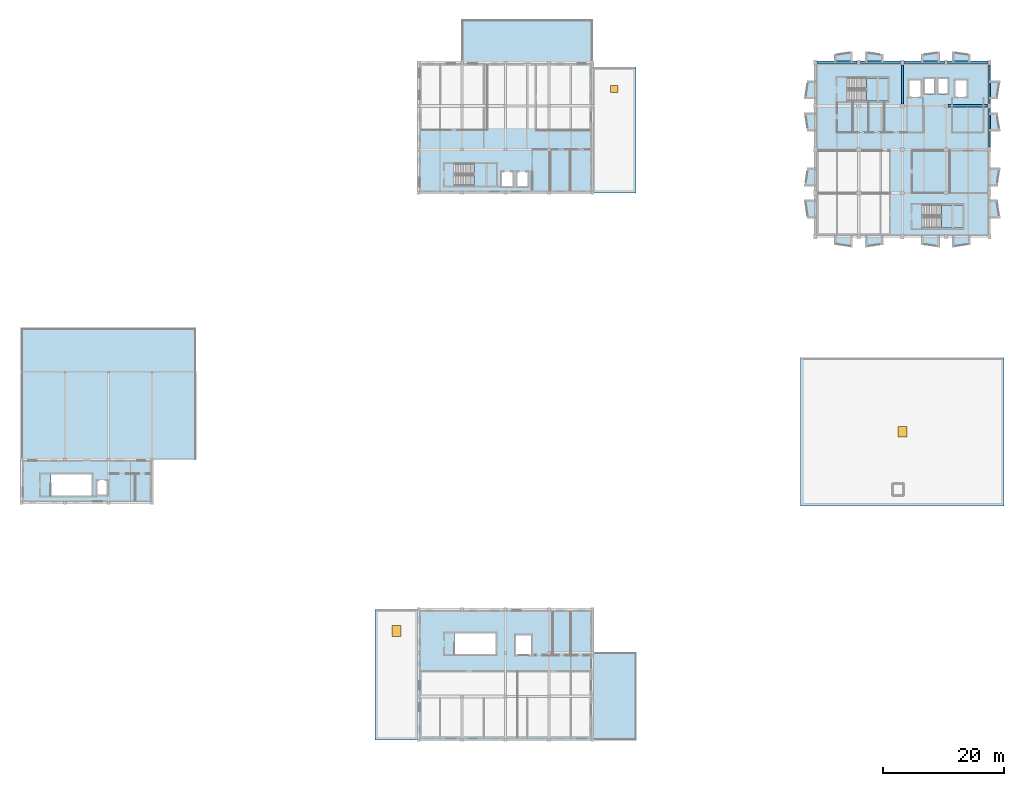
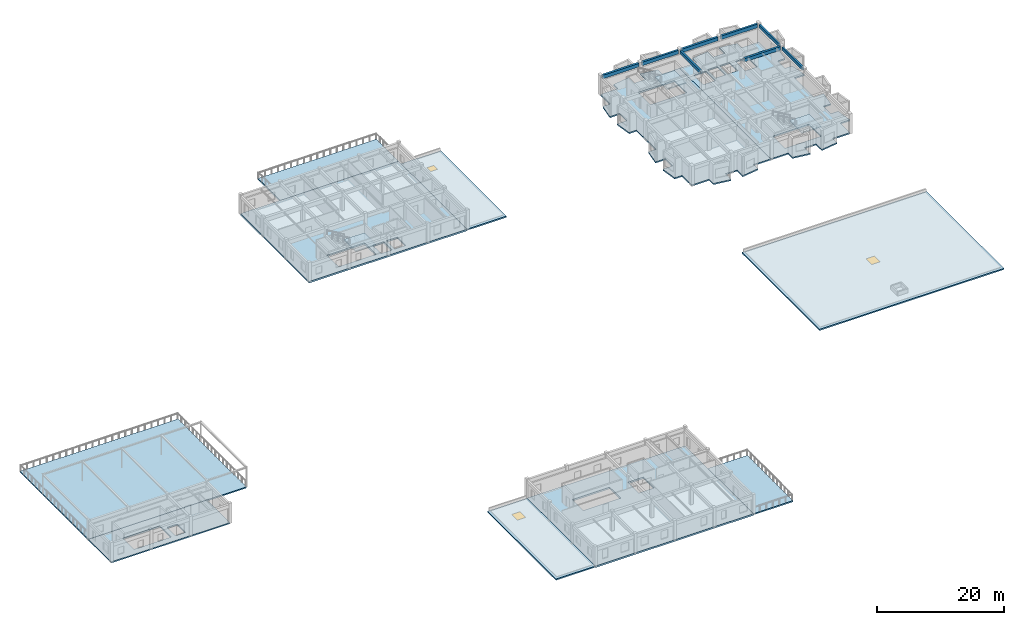
# One storey, part 6 of 20: 14 slabs, 8 beams, 3 windows, 3 openings, 3 elements without a shape of their own.
"""IFC4 building model written with IfcOpenShell, lengths in metres."""

import ifcopenshell
import ifcopenshell.guid

model = None  # the IFC model being written
_history = None  # IfcOwnerHistory: only IFC2X3 demands one
_inside = {}  # id of a spatial element -> (the spatial element, [elements in it])
_under = {}  # id of a project, library or spatial element -> (it, [spatial elements below it])
_declared = {}  # id of a project -> (the project, [libraries it declares])
_typed = {}  # id of a type object -> (the type object, [elements of that type])
_made_of = {}  # id of a material, layer set ... -> (it, [elements and type objects made of it])


def new_model(schema):
    """Start an empty IFC model of exactly this schema.

    Asked for "IFC4X3", IfcOpenShell would pick the latest addendum, in which some entities
    have other attributes; the version numbers below select the first issue.
    IFC2X3 requires an IfcOwnerHistory on every rooted entity: one is made here for all.
    """
    global model, _history
    if schema == "IFC4X3":
        model = ifcopenshell.file(schema_version=(4, 3, 0, 0))
    else:
        model = ifcopenshell.file(schema=schema)
    _inside.clear()
    _under.clear()
    _declared.clear()
    _typed.clear()
    _made_of.clear()
    _history = None
    if model.schema == "IFC2X3":
        org = make("IfcOrganization", Name="unknown")
        user = make(
            "IfcPersonAndOrganization",
            ThePerson=make("IfcPerson", FamilyName="unknown"),
            TheOrganization=org,
        )
        app = make(
            "IfcApplication",
            ApplicationDeveloper=org,
            Version="unknown",
            ApplicationFullName="unknown",
            ApplicationIdentifier="unknown",
        )
        _history = make(
            "IfcOwnerHistory",
            OwningUser=user,
            OwningApplication=app,
            ChangeAction="ADDED",
            CreationDate=0,
        )
    return model


def make(cls, **values):
    """One entity of the class cls with the attributes given. An attribute that is None is left unset."""
    return model.create_entity(
        cls, **{name: value for name, value in values.items() if value is not None}
    )


def rooted(cls, **values):
    """An entity with a GlobalId (a new one), such as an element, a storey or a relation."""
    return make(cls, GlobalId=ifcopenshell.guid.new(), OwnerHistory=_history, **values)


def si_unit(unit_type, name, prefix=None):
    """IfcSIUnit, for example si_unit("LENGTHUNIT", "METRE", prefix="MILLI")."""
    return make("IfcSIUnit", UnitType=unit_type, Prefix=prefix, Name=name)


def assignment(units):
    """IfcUnitAssignment: the units of a project."""
    return None if units is None else make("IfcUnitAssignment", Units=units)


def point(xyz):
    """IfcCartesianPoint."""
    return None if xyz is None else make("IfcCartesianPoint", Coordinates=xyz)


def direction(xyz):
    """IfcDirection."""
    return None if xyz is None else make("IfcDirection", DirectionRatios=xyz)


def frame(location, z_axis=None, x_axis=None):
    """IfcAxis2Placement3D, a coordinate frame: its origin and axes. An axis left out is left unset."""
    return make(
        "IfcAxis2Placement3D",
        Location=point(location),
        Axis=direction(z_axis),
        RefDirection=direction(x_axis),
    )


def frame_2d(location, x_axis=None):
    """IfcAxis2Placement2D, a coordinate frame in the plane: its origin and x axis."""
    return make(
        "IfcAxis2Placement2D", Location=point(location), RefDirection=direction(x_axis)
    )


def origin():
    """The frame at (0, 0, 0) with its axes left unset."""
    return frame((0.0, 0.0, 0.0))


def origin_2d():
    """The frame at (0, 0) in the plane with its x axis left unset."""
    return frame_2d((0.0, 0.0))


def place(relative_to, where):
    """IfcLocalPlacement: puts the frame where relative to a parent placement (None: the world)."""
    return make(
        "IfcLocalPlacement", PlacementRelTo=relative_to, RelativePlacement=where
    )


def context(
    kind, dimensions, precision=None, world=None, true_north=None, identifier=None
):
    """IfcGeometricRepresentationContext, for example the 3D "Model" context."""
    return make(
        "IfcGeometricRepresentationContext",
        ContextIdentifier=identifier,
        ContextType=kind,
        CoordinateSpaceDimension=dimensions,
        Precision=precision,
        WorldCoordinateSystem=world,
        TrueNorth=true_north,
    )


def subcontext(parent, identifier, kind, view, scale=None):
    """IfcGeometricRepresentationSubContext, for example "Body" below "Model"."""
    return make(
        "IfcGeometricRepresentationSubContext",
        ContextIdentifier=identifier,
        ContextType=kind,
        ParentContext=parent,
        TargetScale=scale,
        TargetView=view,
    )


def project(units=None, contexts=None):
    """IfcProject with its units and contexts."""
    return rooted(
        "IfcProject",
        Name="project",
        RepresentationContexts=contexts,
        UnitsInContext=assignment(units),
    )


def spatial(cls, under=None, at=None, **own):
    """A site, building, storey or space (cls), placed at a placement, below another one or the project."""
    s = rooted(cls, ObjectPlacement=at, **own)
    if under is not None:
        _under.setdefault(under.id(), (under, []))[1].append(s)
    return s


def polyline(points):
    """IfcPolyline through the points."""
    return make("IfcPolyline", Points=[point(p) for p in points])


def profile(cls, at=None, kind="AREA", **sizes):
    """A parametric profile (cls). Its sizes go by their IFC names, for example OverallWidth=200.0."""
    return make(cls, ProfileType=kind, Position=at, **sizes)


def rectangle(**sizes):
    """IfcRectangleProfileDef."""
    return profile("IfcRectangleProfileDef", **sizes)


def outline(outer, holes=None, kind="AREA"):
    """IfcArbitraryClosedProfileDef: a profile drawn as a closed curve; with holes, ...WithVoids."""
    if holes is None:
        return make("IfcArbitraryClosedProfileDef", ProfileType=kind, OuterCurve=outer)
    return make(
        "IfcArbitraryProfileDefWithVoids",
        ProfileType=kind,
        OuterCurve=outer,
        InnerCurves=holes,
    )


def extrude(swept, where, along, depth):
    """IfcExtrudedAreaSolid: the profile swept, set in the frame where, extruded along a direction by depth."""
    return make(
        "IfcExtrudedAreaSolid",
        SweptArea=swept,
        Position=where,
        ExtrudedDirection=direction(along),
        Depth=depth,
    )


def shape(context_of_items, identifier, shape_type, items):
    """IfcShapeRepresentation: the items that make up one representation, for example the "Body"."""
    return make(
        "IfcShapeRepresentation",
        ContextOfItems=context_of_items,
        RepresentationIdentifier=identifier,
        RepresentationType=shape_type,
        Items=items,
    )


def material(Name=None, Category=None):
    """IfcMaterial."""
    return make("IfcMaterial", Name=Name, Category=Category)


def layer(
    of_material, thickness, ventilated=None, Name=None, Category=None, Priority=None
):
    """IfcMaterialLayer: one layer of a wall or slab, of a material (None: an air gap)."""
    return make(
        "IfcMaterialLayer",
        Material=of_material,
        LayerThickness=thickness,
        IsVentilated=ventilated,
        Name=Name,
        Category=Category,
        Priority=Priority,
    )


def layer_set(layers, Name=None):
    """IfcMaterialLayerSet."""
    return make("IfcMaterialLayerSet", MaterialLayers=layers, LayerSetName=Name)


def material_profile(
    of_material, cross_section, Name=None, Category=None, Priority=None
):
    """IfcMaterialProfile: a cross section and its material."""
    return make(
        "IfcMaterialProfile",
        Name=Name,
        Material=of_material,
        Profile=cross_section,
        Priority=Priority,
        Category=Category,
    )


def profile_set(profiles, Name=None, composite=None):
    """IfcMaterialProfileSet."""
    return make(
        "IfcMaterialProfileSet",
        Name=Name,
        MaterialProfiles=profiles,
        CompositeProfile=composite,
    )


def made_of(thing, what):
    """Note that an element or type object is made of a material, layer set ...; save() writes the relation."""
    if what is not None:
        _made_of.setdefault(what.id(), (what, []))[1].append(thing)
    return thing


def type_object(cls, material=None, **own):
    """A type object (cls), such as IfcWallType, which elements share."""
    return made_of(rooted(cls, **own), material)


def element(
    cls,
    number,
    at=None,
    inside=None,
    cuts=None,
    type_object=None,
    material=None,
    context=None,
    identifier="Body",
    shape_type=None,
    held_by="IfcProductDefinitionShape",
    body=None,
    shapes=None,
    **own,
):
    """One element of the class cls, such as IfcWall. Its Tag is "e" and its number.

    at: its placement. inside: the storey or other place that contains it. cuts: it is an
    opening in that element (IfcRelVoidsElement). A single representation is given by context,
    identifier, shape_type and body (its items); several are given by shapes. held_by: the class
    of the entity that holds the representations. save() writes the other relations.
    """
    e = rooted(cls, Tag="e%d" % number, ObjectPlacement=at, **own)
    if body is not None:
        shapes = [shape(context, identifier, shape_type, body)]
    if shapes is not None:
        e.Representation = make(held_by, Representations=shapes)
    if inside is not None:
        _inside.setdefault(inside.id(), (inside, []))[1].append(e)
    if cuts is not None:
        rooted(
            "IfcRelVoidsElement", RelatingBuildingElement=cuts, RelatedOpeningElement=e
        )
    if type_object is not None:
        _typed.setdefault(type_object.id(), (type_object, []))[1].append(e)
    return made_of(e, material)


def fill(opening, filler):
    """IfcRelFillsElement: the door or window that sits in an opening."""
    return rooted(
        "IfcRelFillsElement",
        RelatingOpeningElement=opening,
        RelatedBuildingElement=filler,
    )


def aggregate(whole, parts):
    """IfcRelAggregates: a whole, such as a stair, and the parts it consists of."""
    return rooted("IfcRelAggregates", RelatingObject=whole, RelatedObjects=parts)


def save(model, path):
    """Write the relations noted so far, then the file.

    IfcRelAggregates (storeys below a building ...), IfcRelContainedInSpatialStructure (elements
    in a storey), IfcRelDefinesByType, IfcRelAssociatesMaterial and IfcRelDeclares: one each for
    every whole, place, type object, material and project.
    """
    for whole, parts in _under.values():
        aggregate(whole, parts)
    for where, things in _inside.values():
        rooted(
            "IfcRelContainedInSpatialStructure",
            RelatedElements=things,
            RelatingStructure=where,
        )
    for kind, things in _typed.values():
        rooted("IfcRelDefinesByType", RelatedObjects=things, RelatingType=kind)
    for what, things in _made_of.values():
        rooted("IfcRelAssociatesMaterial", RelatedObjects=things, RelatingMaterial=what)
    for by, libraries in _declared.values():
        rooted("IfcRelDeclares", RelatingContext=by, RelatedDefinitions=libraries)
    model.write(path)


model = new_model("IFC4")

# Units and contexts
model_context = context("Model", 3, precision=1e-05, world=origin(), true_north=direction((0.0, 1.0)))
body_context = subcontext(model_context, "Body", "Model", "MODEL_VIEW")
ifc_project = project(units=[si_unit("LENGTHUNIT", "METRE"), si_unit("AREAUNIT", "SQUARE_METRE"), si_unit("VOLUMEUNIT", "CUBIC_METRE"), si_unit("PLANEANGLEUNIT", "RADIAN"), si_unit("MASSUNIT", "GRAM", prefix="KILO")], contexts=[model_context])

# Site, building, storey
site_placement = place(None, origin())
site = spatial("IfcSite", under=ifc_project, at=site_placement, CompositionType="ELEMENT")
building_placement = place(site_placement, origin())
building = spatial("IfcBuilding", under=site, at=building_placement, Name="Bramveld Media Centre", CompositionType="ELEMENT")
storey_placement = place(building_placement, frame((0.0, 0.0, 18.0)))
storey = spatial("IfcBuildingStorey", under=building, at=storey_placement, Name="L04", CompositionType="ELEMENT", Elevation=18.0)

# Beams
ifc_material_1 = material(Name="Concrete C40/50", Category="concrete")
ifc_material_profile_1 = material_profile(ifc_material_1, rectangle(XDim=0.35009765625, YDim=0.60009765625, at=origin_2d()), Name="RC 350x600")
ifc_profile_set_1 = profile_set([ifc_material_profile_1], Name="Concrete C40/50")
beam_type_1 = type_object("IfcBeamType", Name="BM-INT-RC-350x600", PredefinedType="BEAM", material=ifc_profile_set_1)
beam_1_placement = place(storey_placement, frame((145.60009765625, 105.14990234375, 3.360107421875), z_axis=(0.0, 1.0, 0.0), x_axis=(-1.0, 0.0, 0.0)))
element("IfcBeam", 1, at=beam_1_placement, inside=storey, type_object=beam_type_1, Name="V7 L04 girder Y-1464", PredefinedType="BEAM", context=body_context, shape_type="SweptSolid", body=[
    extrude(rectangle(XDim=0.35009765625, YDim=0.60009765625, at=origin_2d()), origin(), (0.0, 0.0, 1.0), 6.4501953125),
])
ifc_material_2 = material(Name="Concrete C40/50", Category="concrete")
ifc_material_profile_2 = material_profile(ifc_material_2, rectangle(XDim=0.39990234375, YDim=0.64990234375, at=origin_2d()), Name="RC 400x650")
ifc_profile_set_2 = profile_set([ifc_material_profile_2], Name="Concrete C40/50")
beam_type_2 = type_object("IfcBeamType", Name="BM-INT-RC-400x650", PredefinedType="BEAM", material=ifc_profile_set_2)
beam_2_placement = place(storey_placement, frame((153.14990234375, 104.800048828125, 3.3349609375), z_axis=(1.0, 0.0, 0.0), x_axis=(0.0, 1.0, 0.0)))
element("IfcBeam", 2, at=beam_2_placement, inside=storey, type_object=beam_type_2, Name="V7 L04 girder X-1449", PredefinedType="BEAM", context=body_context, shape_type="SweptSolid", body=[
    extrude(rectangle(XDim=0.39990234375, YDim=0.64990234375, at=origin_2d()), origin(), (0.0, 0.0, 1.0), 6.5751953125),
])
ifc_material_3 = material(Name="Concrete C40/50", Category="concrete")
ifc_material_profile_3 = material_profile(ifc_material_3, rectangle(XDim=0.320068359375, YDim=0.580078125, at=origin_2d()), Name="RC 320x580")
ifc_profile_set_3 = profile_set([ifc_material_profile_3], Name="Concrete C40/50")
beam_type_3 = type_object("IfcBeamType", Name="SPANDREL-EXT-RC-320x580", PredefinedType="SPANDREL", material=ifc_profile_set_3)
beam_3_placement = place(storey_placement, frame((160.0, 98.0, 3.3701171875), z_axis=(0.0, 1.0, 0.0), x_axis=(-1.0, 0.0, 0.0)))
element("IfcBeam", 3, at=beam_3_placement, inside=storey, type_object=beam_type_3, Name="V7 L04 girder Y-1469", PredefinedType="SPANDREL", context=body_context, shape_type="SweptSolid", body=[
    extrude(rectangle(XDim=0.320068359375, YDim=0.580078125, at=origin_2d()), origin(), (0.0, 0.0, 1.0), 6.39990234375),
])
beam_4_placement = place(storey_placement, frame((160.0, 105.199951171875, 3.3701171875), z_axis=(0.0, 1.0, 0.0), x_axis=(-1.0, 0.0, 0.0)))
element("IfcBeam", 4, at=beam_4_placement, inside=storey, type_object=beam_type_3, Name="V7 L04 girder Y-1470", PredefinedType="SPANDREL", context=body_context, shape_type="SweptSolid", body=[
    extrude(rectangle(XDim=0.320068359375, YDim=0.580078125, at=origin_2d()), origin(), (0.0, 0.0, 1.0), 6.400146484375),
])
ifc_material_4 = material(Name="Concrete C40/50", Category="concrete")
ifc_material_profile_4 = material_profile(ifc_material_4, rectangle(XDim=0.3798828125, YDim=0.679931640625, at=origin_2d()), Name="RC 380x680")
ifc_profile_set_4 = profile_set([ifc_material_profile_4], Name="Concrete C40/50")
beam_type_4 = type_object("IfcBeamType", Name="SPANDREL-EXT-RC-380x680", PredefinedType="SPANDREL", material=ifc_profile_set_4)
for number, where, z_axis, x_axis, name in (
    (5, (131.47509765625, 112.0, 3.320068359375), (1.0, 0.0, 0.0), (0.0, 1.0, 0.0), "V7 L04 girder X-1450"),
    (6, (138.675048828125, 112.0, 3.320068359375), (1.0, 0.0, 0.0), (0.0, 1.0, 0.0), "V7 L04 girder X-1451"),
    (7, (145.875, 112.0, 3.320068359375), (1.0, 0.0, 0.0), (0.0, 1.0, 0.0), "V7 L04 girder X-1452"),
):
    element("IfcBeam", number, at=place(storey_placement, frame(where, z_axis=z_axis, x_axis=x_axis)), inside=storey, type_object=beam_type_4, Name=name, PredefinedType="SPANDREL", context=body_context, shape_type="SweptSolid", body=[
        extrude(rectangle(XDim=0.3798828125, YDim=0.679931640625, at=origin_2d()), origin(), (0.0, 0.0, 1.0), 6.64990234375),
    ])
beam_5_placement = place(storey_placement, frame((153.074951171875, 112.0, 3.320068359375), z_axis=(1.0, 0.0, 0.0), x_axis=(0.0, 1.0, 0.0)))
element("IfcBeam", 8, at=beam_5_placement, inside=storey, type_object=beam_type_4, Name="V7 L04 girder X-1453", PredefinedType="SPANDREL", context=body_context, shape_type="SweptSolid", body=[
    extrude(rectangle(XDim=0.3798828125, YDim=0.679931640625, at=origin_2d()), origin(), (0.0, 0.0, 1.0), 6.650146484375),
])

# Slab, opening, window
ifc_material_5 = material(Name="Concrete C40/50", Category="concrete")
ifc_layer_1 = layer(ifc_material_5, 0.235107421875)
ifc_layer_set_1 = layer_set([ifc_layer_1], Name="Concrete C40/50")
slab_type_1 = type_object("IfcSlabType", Name="ROOF-SLAB-235-06", PredefinedType="ROOF", material=ifc_layer_set_1)
slab_1_placement = place(storey_placement, frame((0.0, 0.0, -0.235107421875)))
slab_1 = element("IfcSlab", 9, at=slab_1_placement, inside=storey, type_object=slab_type_1, Name="V4 L04 flat roof slab", PredefinedType="ROOF", context=body_context, shape_type="SweptSolid", body=[
    extrude(outline(polyline([(128.800048828125, 38.699951171875), (162.39990234375, 38.699951171875), (162.39990234375, 63.199951171875), (128.800048828125, 63.199951171875), (128.800048828125, 38.699951171875)])), origin(), (0.0, 0.0, 1.0), 0.235107421875),
])
opening_1_placement = place(slab_1_placement, frame((145.60009765625, 50.949951171875, 0.0)))
opening_1 = element("IfcOpeningElement", 10, at=opening_1_placement, cuts=slab_1, Name="Opening SK-03", PredefinedType="OPENING", context=body_context, shape_type="SweptSolid", body=[
    extrude(rectangle(XDim=1.5, YDim=1.800048828125, at=origin_2d()), origin(), (0.0, 0.0, 1.0), 0.235107421875),
])
ifc_material_6 = material(Name="Insulated aluminium smoke-ventilation & maintenance roof skylight hatch", Category="aluminium")
window_type_1 = type_object("IfcWindowType", Name="SKY-HATCH-03", PartitioningType="SINGLE_PANEL", PredefinedType="SKYLIGHT", material=ifc_material_6)
window_1_placement = place(opening_1_placement, frame((0.0, 0.0, 0.18505859375)))
window_1 = element("IfcWindow", 11, at=window_1_placement, inside=storey, type_object=window_type_1, Name="Roof maintenance & smoke-vent skylight hatch 5", OverallHeight=1.800048828125, OverallWidth=1.5, PartitioningType="SINGLE_PANEL", PredefinedType="SKYLIGHT", context=body_context, shape_type="SweptSolid", body=[
    extrude(rectangle(XDim=1.5, YDim=1.800048828125, at=origin_2d()), origin(), (0.0, 0.0, 1.0), 0.050048828125),
])
fill(opening_1, window_1)

ifc_material_7 = material(Name="Concrete C40/50", Category="concrete")
ifc_layer_2 = layer(ifc_material_7, 0.238037109375)
ifc_layer_set_2 = layer_set([ifc_layer_2], Name="Concrete C40/50")
slab_type_2 = type_object("IfcSlabType", Name="ROOF-SLAB-238-09", PredefinedType="ROOF", material=ifc_layer_set_2)
slab_2_placement = place(storey_placement, frame((0.0, 0.0, -0.238037109375)))
slab_2 = element("IfcSlab", 12, at=slab_2_placement, inside=storey, type_object=slab_type_2, Name="V5 L04 flat roof slab", PredefinedType="ROOF", context=body_context, shape_type="SweptSolid", body=[
    extrude(outline(polyline([(58.39990234375, 0.0), (65.60009765625, 0.0), (65.60009765625, 21.60009765625), (58.39990234375, 21.60009765625), (58.39990234375, 0.0)])), origin(), (0.0, 0.0, 1.0), 0.238037109375),
])
opening_2_placement = place(slab_2_placement, frame((62.0, 18.0, 0.0)))
opening_2 = element("IfcOpeningElement", 13, at=opening_2_placement, cuts=slab_2, Name="Opening SK-03", PredefinedType="OPENING", context=body_context, shape_type="SweptSolid", body=[
    extrude(rectangle(XDim=1.5, YDim=1.800048828125, at=origin_2d()), origin(), (0.0, 0.0, 1.0), 0.238037109375),
])
window_2_placement = place(opening_2_placement, frame((0.0, 0.0, 0.18798828125)))
window_2 = element("IfcWindow", 14, at=window_2_placement, inside=storey, type_object=window_type_1, Name="Roof maintenance & smoke-vent skylight hatch 8", OverallHeight=1.800048828125, OverallWidth=1.5, PartitioningType="SINGLE_PANEL", PredefinedType="SKYLIGHT", context=body_context, shape_type="SweptSolid", body=[
    extrude(rectangle(XDim=1.5, YDim=1.800048828125, at=origin_2d()), origin(), (0.0, 0.0, 1.0), 0.050048828125),
])
fill(opening_2, window_2)

ifc_material_8 = material(Name="Concrete C40/50", Category="concrete")
ifc_layer_3 = layer(ifc_material_8, 0.2451171875)
ifc_layer_set_3 = layer_set([ifc_layer_3], Name="Concrete C40/50")
slab_type_3 = type_object("IfcSlabType", Name="ROOF-SLAB-245-13", PredefinedType="ROOF", material=ifc_layer_set_3)
slab_3_placement = place(storey_placement, frame((0.0, 0.0, -0.2451171875)))
slab_3 = element("IfcSlab", 15, at=slab_3_placement, inside=storey, type_object=slab_type_3, Name="V6 L04 flat roof slab", PredefinedType="ROOF", context=body_context, shape_type="SweptSolid", body=[
    extrude(outline(polyline([(94.39990234375, 90.39990234375), (101.60009765625, 90.39990234375), (101.60009765625, 111.199951171875), (94.39990234375, 111.199951171875), (94.39990234375, 90.39990234375)])), origin(), (0.0, 0.0, 1.0), 0.2451171875),
])
opening_3_placement = place(slab_3_placement, frame((98.0, 107.60009765625, 0.0)))
opening_3 = element("IfcOpeningElement", 16, at=opening_3_placement, cuts=slab_3, Name="Opening SK-01", PredefinedType="OPENING", context=body_context, shape_type="SweptSolid", body=[
    extrude(rectangle(XDim=1.199951171875, YDim=1.199951171875, at=origin_2d()), origin(), (0.0, 0.0, 1.0), 0.2451171875),
])
ifc_material_9 = material(Name="Insulated aluminium smoke-ventilation & maintenance roof skylight hatch", Category="aluminium")
window_type_2 = type_object("IfcWindowType", Name="SKY-HATCH-01", PartitioningType="SINGLE_PANEL", PredefinedType="SKYLIGHT", material=ifc_material_9)
window_3_placement = place(opening_3_placement, frame((0.0, 0.0, 0.195068359375)))
window_3 = element("IfcWindow", 17, at=window_3_placement, inside=storey, type_object=window_type_2, Name="Roof maintenance & smoke-vent skylight hatch 12", OverallHeight=1.199951171875, OverallWidth=1.199951171875, PartitioningType="SINGLE_PANEL", PredefinedType="SKYLIGHT", context=body_context, shape_type="SweptSolid", body=[
    extrude(rectangle(XDim=1.199951171875, YDim=1.199951171875, at=origin_2d()), origin(), (0.0, 0.0, 1.0), 0.050048828125),
])
fill(opening_3, window_3)

# Slabs
ifc_material_10 = material(Name="Precast concrete C40/50", Category="concrete")
ifc_layer_4 = layer(ifc_material_10, 0.239990234375)
ifc_layer_set_4 = layer_set([ifc_layer_4], Name="Precast concrete C40/50")
slab_type_4 = type_object("IfcSlabType", Name="SLAB-FLOOR-EXT-240", PredefinedType="FLOOR", material=ifc_layer_set_4)
slab_4_placement = place(storey_placement, frame((0.0, 0.0, -0.239990234375)))
element("IfcSlab", 18, at=slab_4_placement, inside=storey, type_object=slab_type_4, Name="Rooftop Screen Terrace", PredefinedType="FLOOR", context=body_context, shape_type="SweptSolid", body=[
    extrude(outline(polyline([(0.0, 46.39990234375), (28.800048828125, 46.39990234375), (28.800048828125, 68.0), (0.0, 68.0), (0.0, 46.39990234375)])), origin(), (0.0, 0.0, 1.0), 0.239990234375),
])
slab_5_placement = place(storey_placement, frame((0.0, 0.0, -0.239990234375)))
element("IfcSlab", 19, at=slab_5_placement, inside=storey, type_object=slab_type_4, Name="Archive Scholars Reading Loggia", PredefinedType="FLOOR", context=body_context, shape_type="SweptSolid", body=[
    extrude(outline(polyline([(94.39990234375, 0.0), (101.60009765625, 0.0), (101.60009765625, 14.39990234375), (94.39990234375, 14.39990234375), (94.39990234375, 0.0)])), origin(), (0.0, 0.0, 1.0), 0.239990234375),
])
slab_6_placement = place(storey_placement, frame((0.0, 0.0, -0.239990234375)))
element("IfcSlab", 20, at=slab_6_placement, inside=storey, type_object=slab_type_4, Name="North Canal Viewing Deck", PredefinedType="FLOOR", context=body_context, shape_type="SweptSolid", body=[
    extrude(outline(polyline([(72.800048828125, 112.0), (94.39990234375, 112.0), (94.39990234375, 119.0), (72.800048828125, 119.0), (72.800048828125, 112.0)])), origin(), (0.0, 0.0, 1.0), 0.239990234375),
])
ifc_material_11 = material(Name="Concrete C40/50", Category="concrete")
ifc_layer_5 = layer(ifc_material_11, 0.239990234375)
ifc_layer_set_5 = layer_set([ifc_layer_5], Name="Concrete C40/50")
slab_type_5 = type_object("IfcSlabType", Name="SLAB-FLOOR-INT-240", PredefinedType="FLOOR", material=ifc_layer_set_5)
slab_7_placement = place(storey_placement, frame((0.0, 0.0, -0.239990234375)))
element("IfcSlab", 21, at=slab_7_placement, inside=storey, type_object=slab_type_5, Name="V3 L04 structural slab 1", PredefinedType="FLOOR", context=body_context, shape_type="SweptSolid", body=[
    extrude(outline(polyline([(0.0, 46.39990234375), (21.60009765625, 46.39990234375), (21.60009765625, 39.199951171875), (0.0, 39.199951171875), (0.0, 46.39990234375)]), holes=[polyline([(14.199951171875, 40.39990234375), (14.199951171875, 43.0), (12.39990234375, 43.0), (12.39990234375, 40.39990234375), (14.199951171875, 40.39990234375)]), polyline([(4.85009765625, 40.39990234375), (11.60009765625, 40.39990234375), (11.60009765625, 43.949951171875), (4.85009765625, 43.949951171875), (4.85009765625, 40.39990234375)])]), origin(), (0.0, 0.0, 1.0), 0.239990234375),
])
ifc_material_12 = material(Name="Concrete C40/50", Category="concrete")
ifc_layer_6 = layer(ifc_material_12, 0.25)
ifc_layer_set_6 = layer_set([ifc_layer_6], Name="Concrete C40/50")
slab_type_6 = type_object("IfcSlabType", Name="SLAB-FLOOR-INT-250", PredefinedType="FLOOR", material=ifc_layer_set_6)
slab_8_placement = place(storey_placement, frame((0.0, 0.0, -0.25)))
element("IfcSlab", 22, at=slab_8_placement, inside=storey, type_object=slab_type_6, Name="V7 L04 structural slab 1", PredefinedType="FLOOR", context=body_context, shape_type="SweptSolid", body=[
    extrude(outline(polyline([(131.199951171875, 86.25), (129.85009765625, 86.25), (129.406982421875, 89.25), (131.199951171875, 89.25), (131.199951171875, 91.550048828125), (129.406982421875, 91.550048828125), (129.85009765625, 94.550048828125), (131.199951171875, 94.550048828125), (131.199951171875, 100.64990234375), (129.85009765625, 100.64990234375), (129.406982421875, 103.64990234375), (131.199951171875, 103.64990234375), (131.199951171875, 105.949951171875), (129.406982421875, 105.949951171875), (129.85009765625, 108.949951171875), (131.199951171875, 108.949951171875), (131.199951171875, 112.0), (134.35009765625, 112.0), (134.35009765625, 113.35009765625), (137.35009765625, 113.79296875), (137.35009765625, 112.0), (139.449951171875, 112.0), (139.449951171875, 113.79296875), (142.449951171875, 113.35009765625), (142.449951171875, 112.0), (145.60009765625, 112.0), (145.60009765625, 83.199951171875), (142.449951171875, 83.199951171875), (142.449951171875, 81.85009765625), (139.449951171875, 81.406982421875), (139.449951171875, 83.199951171875), (137.35009765625, 83.199951171875), (137.35009765625, 81.406982421875), (134.35009765625, 81.85009765625), (134.35009765625, 83.199951171875), (131.199951171875, 83.199951171875), (131.199951171875, 86.25)]), holes=[polyline([(143.199951171875, 109.449951171875), (136.60009765625, 109.449951171875), (136.60009765625, 105.60009765625), (143.199951171875, 105.60009765625), (143.199951171875, 109.449951171875)])]), origin(), (0.0, 0.0, 1.0), 0.25),
])
slab_9_placement = place(storey_placement, frame((0.0, 0.0, -0.25)))
element("IfcSlab", 23, at=slab_9_placement, inside=storey, type_object=slab_type_6, Name="V7 L04 structural slab 2", PredefinedType="FLOOR", context=body_context, shape_type="SweptSolid", body=[
    extrude(outline(polyline([(148.75, 113.35009765625), (151.75, 113.79296875), (151.75, 112.0), (153.85009765625, 112.0), (153.85009765625, 113.79296875), (156.85009765625, 113.35009765625), (156.85009765625, 112.0), (160.0, 112.0), (160.0, 108.949951171875), (161.79296875, 108.949951171875), (161.35009765625, 105.949951171875), (160.0, 105.949951171875), (160.0, 103.64990234375), (161.35009765625, 103.64990234375), (161.79296875, 100.64990234375), (160.0, 100.64990234375), (160.0, 94.550048828125), (161.79296875, 94.550048828125), (161.35009765625, 91.550048828125), (160.0, 91.550048828125), (160.0, 89.25), (161.35009765625, 89.25), (161.79296875, 86.25), (160.0, 86.25), (160.0, 83.199951171875), (156.85009765625, 83.199951171875), (156.85009765625, 81.85009765625), (153.85009765625, 81.406982421875), (153.85009765625, 83.199951171875), (151.75, 83.199951171875), (151.75, 81.406982421875), (148.75, 81.85009765625), (148.75, 83.199951171875), (145.60009765625, 83.199951171875), (145.60009765625, 112.0), (148.75, 112.0), (148.75, 113.35009765625)]), holes=[polyline([(149.0, 88.449951171875), (149.0, 84.60009765625), (155.60009765625, 84.60009765625), (155.60009765625, 88.449951171875), (149.0, 88.449951171875)]), polyline([(146.60009765625, 109.199951171875), (146.60009765625, 106.199951171875), (148.800048828125, 106.199951171875), (148.800048828125, 109.199951171875), (146.60009765625, 109.199951171875)]), polyline([(154.199951171875, 106.199951171875), (156.39990234375, 106.199951171875), (156.39990234375, 109.199951171875), (154.199951171875, 109.199951171875), (154.199951171875, 106.199951171875)]), polyline([(149.199951171875, 109.39990234375), (149.199951171875, 106.800048828125), (151.0, 106.800048828125), (151.0, 109.39990234375), (149.199951171875, 109.39990234375)]), polyline([(151.39990234375, 109.39990234375), (151.39990234375, 106.800048828125), (153.199951171875, 106.800048828125), (153.199951171875, 109.39990234375), (151.39990234375, 109.39990234375)])]), origin(), (0.0, 0.0, 1.0), 0.25),
])
ifc_material_13 = material(Name="Concrete C40/50", Category="concrete")
ifc_layer_7 = layer(ifc_material_13, 0.320068359375)
ifc_layer_set_7 = layer_set([ifc_layer_7], Name="Concrete C40/50")
slab_type_7 = type_object("IfcSlabType", Name="SLAB-FLOOR-INT-320", PredefinedType="FLOOR", material=ifc_layer_set_7)
slab_10_placement = place(storey_placement, frame((0.0, 0.0, -0.320068359375)))
element("IfcSlab", 24, at=slab_10_placement, inside=storey, type_object=slab_type_7, Name="V5 L04 structural slab 1", PredefinedType="FLOOR", context=body_context, shape_type="SweptSolid", body=[
    extrude(outline(polyline([(65.60009765625, 21.60009765625), (94.39990234375, 21.60009765625), (94.39990234375, 0.0), (65.60009765625, 0.0), (65.60009765625, 21.60009765625)]), holes=[polyline([(84.39990234375, 14.0), (84.39990234375, 17.39990234375), (81.60009765625, 17.39990234375), (81.60009765625, 14.0), (84.39990234375, 14.0)]), polyline([(71.60009765625, 14.199951171875), (78.39990234375, 14.199951171875), (78.39990234375, 17.64990234375), (71.60009765625, 17.64990234375), (71.60009765625, 14.199951171875)])]), origin(), (0.0, 0.0, 1.0), 0.320068359375),
])
slab_11_placement = place(storey_placement, frame((0.0, 0.0, -0.320068359375)))
element("IfcSlab", 25, at=slab_11_placement, inside=storey, type_object=slab_type_7, Name="V6 L04 structural slab 1", PredefinedType="FLOOR", context=body_context, shape_type="SweptSolid", body=[
    extrude(outline(polyline([(65.60009765625, 112.0), (94.39990234375, 112.0), (94.39990234375, 90.39990234375), (65.60009765625, 90.39990234375), (65.60009765625, 112.0)]), holes=[polyline([(81.300048828125, 91.39990234375), (81.300048828125, 94.0), (79.300048828125, 94.0), (79.300048828125, 91.39990234375), (81.300048828125, 91.39990234375)]), polyline([(81.800048828125, 91.39990234375), (83.800048828125, 91.39990234375), (83.800048828125, 94.0), (81.800048828125, 94.0), (81.800048828125, 91.39990234375)]), polyline([(71.699951171875, 95.25), (71.699951171875, 91.60009765625), (78.5, 91.60009765625), (78.5, 95.25), (71.699951171875, 95.25)])]), origin(), (0.0, 0.0, 1.0), 0.320068359375),
])

# Stair, slab
ifc_material_14 = material(Name="Concrete C40/50", Category="concrete")
stair_type_1 = type_object("IfcStairType", Name="STAIR-ST-01-24R-1800", PredefinedType="HALF_TURN_STAIR", material=ifc_material_14)
stair_1_placement = place(storey_placement, origin())
stair_1 = element("IfcStair", 26, at=stair_1_placement, inside=storey, type_object=stair_type_1, Name="L04 Core A1 Pressurized Firefighting Stair", PredefinedType="HALF_TURN_STAIR")
ifc_material_15 = material(Name="Concrete C40/50", Category="concrete")
ifc_layer_8 = layer(ifc_material_15, 0.199951171875)
ifc_layer_set_8 = layer_set([ifc_layer_8], Name="Concrete C40/50")
slab_type_8 = type_object("IfcSlabType", Name="SLAB-STAIR-LAND-200", PredefinedType="LANDING", material=ifc_layer_set_8)
slab_12_placement = place(storey_placement, frame((0.0, 0.0, 1.75)))
slab_12 = element("IfcSlab", 27, at=slab_12_placement, type_object=slab_type_8, Name="ST-01 landing 1", PredefinedType="LANDING", context=body_context, shape_type="SweptSolid", body=[
    extrude(outline(polyline([(139.679931640625, 105.60009765625), (143.199951171875, 105.60009765625), (143.199951171875, 109.449951171875), (139.679931640625, 109.449951171875), (139.679931640625, 105.60009765625)])), origin(), (0.0, 0.0, 1.0), 0.199951171875),
])
aggregate(stair_1, [slab_12])

ifc_material_16 = material(Name="Concrete C40/50", Category="concrete")
stair_type_2 = type_object("IfcStairType", Name="STAIR-ST-02-24R-1800", PredefinedType="HALF_TURN_STAIR", material=ifc_material_16)
stair_2_placement = place(storey_placement, origin())
stair_2 = element("IfcStair", 28, at=stair_2_placement, inside=storey, type_object=stair_type_2, Name="L04 Core A2 Pressurized Escape Stair", PredefinedType="HALF_TURN_STAIR")
slab_13_placement = place(storey_placement, frame((0.0, 0.0, 1.75)))
slab_13 = element("IfcSlab", 29, at=slab_13_placement, type_object=slab_type_8, Name="ST-02 landing 1", PredefinedType="LANDING", context=body_context, shape_type="SweptSolid", body=[
    extrude(outline(polyline([(152.080078125, 84.60009765625), (155.60009765625, 84.60009765625), (155.60009765625, 88.449951171875), (152.080078125, 88.449951171875), (152.080078125, 84.60009765625)])), origin(), (0.0, 0.0, 1.0), 0.199951171875),
])
aggregate(stair_2, [slab_13])

ifc_material_17 = material(Name="Concrete C40/50", Category="concrete")
stair_type_3 = type_object("IfcStairType", Name="STAIR-ST-07-24R-1700", PredefinedType="HALF_TURN_STAIR", material=ifc_material_17)
stair_3_placement = place(storey_placement, origin())
stair_3 = element("IfcStair", 30, at=stair_3_placement, inside=storey, type_object=stair_type_3, Name="L04 Exhibition & Sound Lab Primary Stair", PredefinedType="HALF_TURN_STAIR")
slab_14_placement = place(storey_placement, frame((0.0, 0.0, 1.75)))
slab_14 = element("IfcSlab", 31, at=slab_14_placement, type_object=slab_type_8, Name="ST-07 landing 1", PredefinedType="LANDING", context=body_context, shape_type="SweptSolid", body=[
    extrude(outline(polyline([(74.780029296875, 91.60009765625), (78.5, 91.60009765625), (78.5, 95.25), (74.780029296875, 95.25), (74.780029296875, 91.60009765625)])), origin(), (0.0, 0.0, 1.0), 0.199951171875),
])
aggregate(stair_3, [slab_14])

save(model, "model.ifc")
